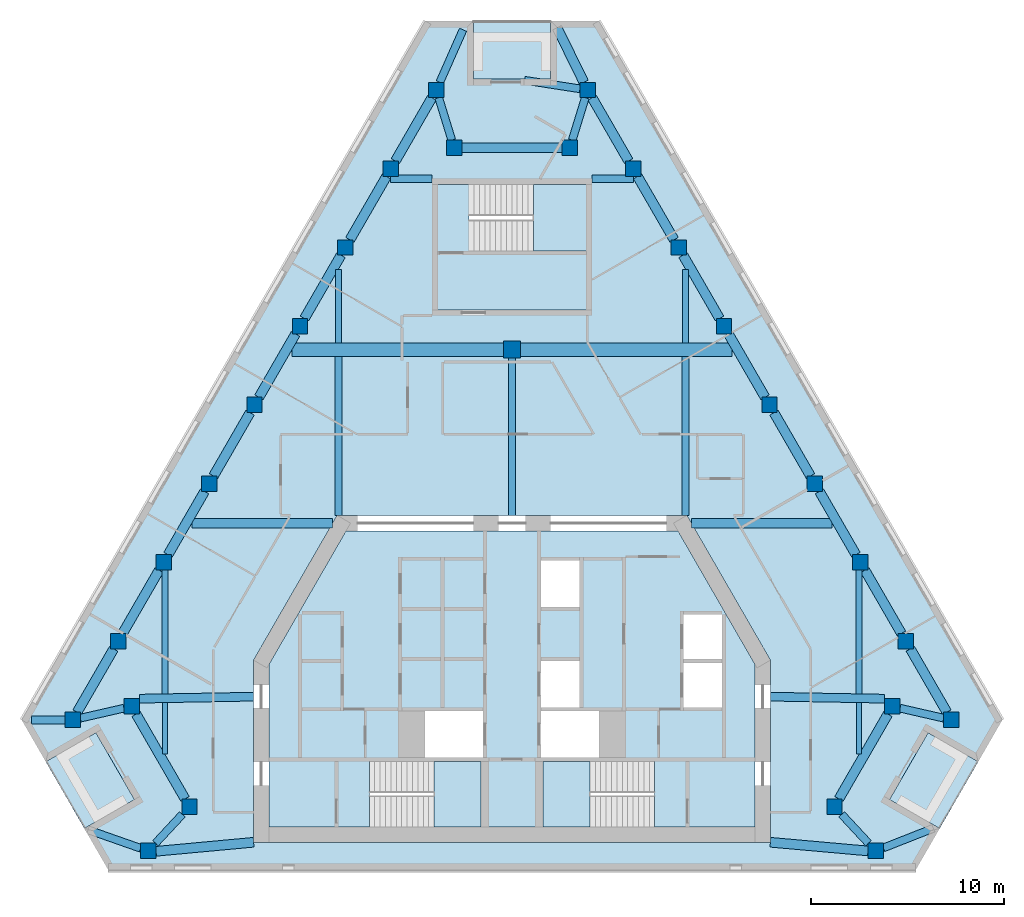
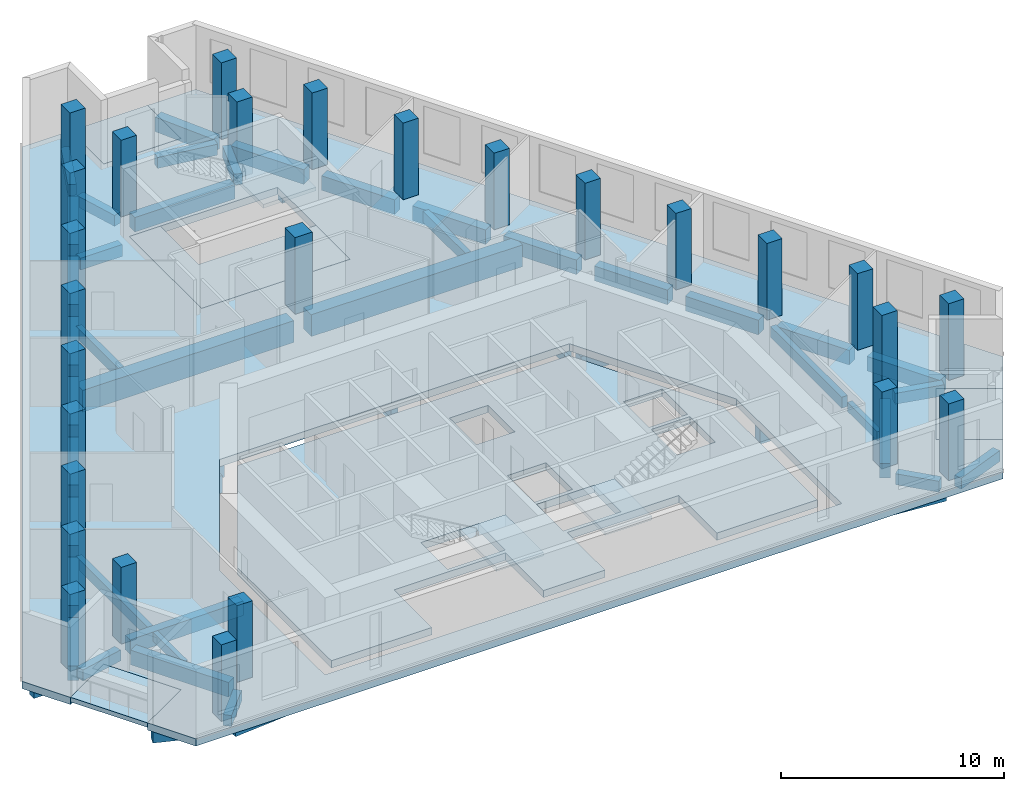
# One storey, part 1 of 9: 50 beams, 27 columns, 9 slabs, 3 elements without a shape of their own.
"""IFC4 building model written with IfcOpenShell, lengths in metres."""

from ifc_helpers import new_model, si_unit, direction, frame, origin, origin_2d, place, context, subcontext, project, spatial, polyline, rectangle, outline, extrude, material, layer, layer_set, material_profile, profile_set, type_object, element, aggregate, save


model = new_model("IFC4")

# Units and contexts
model_context = context("Model", 3, precision=1e-05, world=origin(), true_north=direction((0.0, 1.0)))
body_context = subcontext(model_context, "Body", "Model", "MODEL_VIEW")
ifc_project = project(units=[si_unit("LENGTHUNIT", "METRE"), si_unit("AREAUNIT", "SQUARE_METRE"), si_unit("VOLUMEUNIT", "CUBIC_METRE"), si_unit("PLANEANGLEUNIT", "RADIAN"), si_unit("MASSUNIT", "GRAM", prefix="KILO")], contexts=[model_context])

# Site, building, storey
site_placement = place(None, origin())
site = spatial("IfcSite", under=ifc_project, at=site_placement, CompositionType="ELEMENT")
building_placement = place(site_placement, origin())
building = spatial("IfcBuilding", under=site, at=building_placement, Name="Fogline Exchange Tower", CompositionType="ELEMENT")
storey_placement = place(building_placement, frame((0.0, 0.0, 279.300048828125)))
storey = spatial("IfcBuildingStorey", under=building, at=storey_placement, Name="L63", CompositionType="ELEMENT", Elevation=279.300048828125)

# Columns
ifc_material_1 = material(Name="Concrete C60", Category="concrete")
ifc_material_profile_1 = material_profile(ifc_material_1, rectangle(XDim=0.89990234375, YDim=0.89990234375, at=origin_2d()), Name="RC 900x900")
ifc_profile_set_1 = profile_set([ifc_material_profile_1], Name="Concrete C60")
column_type_1 = type_object("IfcColumnType", Name="C06", PredefinedType="COLUMN", material=ifc_profile_set_1)
column_placement = place(storey_placement, frame((0.0, 27.0, 0.0), z_axis=(0.0, 0.0, 1.0), x_axis=(1.0, 0.0, 0.0)))
element("IfcColumn", 1, at=column_placement, inside=storey, type_object=column_type_1, Name="IC-0-27", PredefinedType="COLUMN", context=body_context, shape_type="SweptSolid", body=[
    extrude(rectangle(XDim=0.89990234375, YDim=0.89990234375, at=origin_2d()), origin(), (0.0, 0.0, 1.0), 4.199951171875),
])
ifc_material_profile_2 = material_profile(ifc_material_1, rectangle(XDim=0.800048828125, YDim=0.800048828125, at=origin_2d()), Name="RC 800x800")
ifc_profile_set_2 = profile_set([ifc_material_profile_2], Name="Concrete C60")
column_type_2 = type_object("IfcColumnType", Name="C07", PredefinedType="COLUMN", material=ifc_profile_set_2)
for number, where, z_axis, x_axis, name in (
    (2, (-22.7802734375, 7.794189453125, 0.0), (0.0, 0.0, 1.0), (1.0, 0.0, 0.0), "SW-a"),
    (3, (-19.720947265625, 8.4951171875, 0.0), (0.0, 0.0, 1.0), (1.0, 0.0, 0.0), "SW-p4"),
    (4, (-16.720947265625, 3.299072265625, 0.0), (0.0, 0.0, 1.0), (1.0, 0.0, 0.0), "SW-p3"),
    (5, (-18.857666015625, 1.0, 0.0), (0.0, 0.0, 1.0), (1.0, 0.0, 0.0), "SW-b"),
    (6, (18.857666015625, 1.0, 0.0), (0.0, 0.0, 1.0), (1.0, 0.0, 0.0), "SE-a"),
    (7, (16.720947265625, 3.299072265625, 0.0), (0.0, 0.0, 1.0), (1.0, 0.0, 0.0), "SE-p4"),
    (8, (19.720947265625, 8.4951171875, 0.0), (0.0, 0.0, 1.0), (1.0, 0.0, 0.0), "SE-p3"),
    (9, (22.7802734375, 7.794189453125, 0.0), (0.0, 0.0, 1.0), (1.0, 0.0, 0.0), "SE-b"),
    (10, (20.423095703125, 11.876953125, 0.0), (0.0, 0.0, 1.0), (1.0, 0.0, 0.0), "E1"),
    (11, (18.06591796875, 15.959716796875, 0.0), (0.0, 0.0, 1.0), (1.0, 0.0, 0.0), "E2"),
    (12, (15.708740234375, 20.04248046875, 0.0), (0.0, 0.0, 1.0), (1.0, 0.0, 0.0), "E3"),
    (13, (13.3515625, 24.12548828125, 0.0), (0.0, 0.0, 1.0), (1.0, 0.0, 0.0), "E4"),
    (14, (10.994384765625, 28.208251953125, 0.0), (0.0, 0.0, 1.0), (1.0, 0.0, 0.0), "E5"),
    (15, (8.63720703125, 32.291015625, 0.0), (0.0, 0.0, 1.0), (1.0, 0.0, 0.0), "E6"),
    (16, (6.27978515625, 36.373779296875, 0.0), (0.0, 0.0, 1.0), (1.0, 0.0, 0.0), "E7"),
    (17, (3.922607421875, 40.456787109375, 0.0), (0.0, 0.0, 1.0), (1.0, 0.0, 0.0), "N-a"),
    (18, (3.0, 37.456787109375, 0.0), (0.0, 0.0, 1.0), (1.0, 0.0, 0.0), "N-p4"),
    (19, (-3.0, 37.456787109375, 0.0), (0.0, 0.0, 1.0), (1.0, 0.0, 0.0), "N-p3"),
    (20, (-3.922607421875, 40.456787109375, 0.0), (0.0, 0.0, 1.0), (1.0, 0.0, 0.0), "N-b"),
    (21, (-6.27978515625, 36.373779296875, 0.0), (0.0, 0.0, 1.0), (1.0, 0.0, 0.0), "W1"),
    (22, (-8.63720703125, 32.291015625, 0.0), (0.0, 0.0, 1.0), (1.0, 0.0, 0.0), "W2"),
    (23, (-10.994384765625, 28.208251953125, 0.0), (0.0, 0.0, 1.0), (1.0, 0.0, 0.0), "W3"),
    (24, (-13.3515625, 24.12548828125, 0.0), (0.0, 0.0, 1.0), (1.0, 0.0, 0.0), "W4"),
    (25, (-15.708740234375, 20.04248046875, 0.0), (0.0, 0.0, 1.0), (1.0, 0.0, 0.0), "W5"),
    (26, (-18.06591796875, 15.959716796875, 0.0), (0.0, 0.0, 1.0), (1.0, 0.0, 0.0), "W6"),
    (27, (-20.423095703125, 11.876953125, 0.0), (0.0, 0.0, 1.0), (1.0, 0.0, 0.0), "W7"),
):
    element("IfcColumn", number, at=place(storey_placement, frame(where, z_axis=z_axis, x_axis=x_axis)), inside=storey, type_object=column_type_2, Name=name, PredefinedType="COLUMN", context=body_context, shape_type="SweptSolid", body=[
        extrude(rectangle(XDim=0.800048828125, YDim=0.800048828125, at=origin_2d()), origin(), (0.0, 0.0, 1.0), 4.199951171875),
    ])

# Beams
ifc_material_2 = material(Name="Concrete C40", Category="concrete")
ifc_material_profile_3 = material_profile(ifc_material_2, rectangle(XDim=0.300048828125, YDim=0.60009765625, at=origin_2d()), Name="RC 300x600")
ifc_profile_set_3 = profile_set([ifc_material_profile_3], Name="Concrete C40")
beam_type_1 = type_object("IfcBeamType", Name="B06", PredefinedType="BEAM", material=ifc_profile_set_3)
beam_1_placement = place(storey_placement, frame((-18.0, 9.1435546875, -0.699951171875), z_axis=(0.0, 1.0, 0.0), x_axis=(-1.0, 0.0, 0.0)))
element("IfcBeam", 28, at=beam_1_placement, inside=storey, type_object=beam_type_1, Name="SB002", PredefinedType="BEAM", context=body_context, shape_type="SweptSolid", body=[
    extrude(rectangle(XDim=0.300048828125, YDim=0.60009765625, at=origin_2d()), origin(), (0.0, 0.0, 1.0), 6.416259765625),
])
for number, where, z_axis, x_axis, name in (
    (29, (-9.0, 27.35009765625, -0.699951171875), (0.0, 1.0, 0.0), (-1.0, 0.0, 0.0), "SB004"),
    (30, (9.0, 27.35009765625, -0.699951171875), (0.0, 1.0, 0.0), (-1.0, 0.0, 0.0), "SB007"),
):
    element("IfcBeam", number, at=place(storey_placement, frame(where, z_axis=z_axis, x_axis=x_axis)), inside=storey, type_object=beam_type_1, Name=name, PredefinedType="BEAM", context=body_context, shape_type="SweptSolid", body=[
        extrude(rectangle(XDim=0.300048828125, YDim=0.60009765625, at=origin_2d()), origin(), (0.0, 0.0, 1.0), 3.812255859375),
    ])
beam_2_placement = place(storey_placement, frame((18.0, 9.1435546875, -0.699951171875), z_axis=(0.0, 1.0, 0.0), x_axis=(-1.0, 0.0, 0.0)))
element("IfcBeam", 31, at=beam_2_placement, inside=storey, type_object=beam_type_1, Name="SB009", PredefinedType="BEAM", context=body_context, shape_type="SweptSolid", body=[
    extrude(rectangle(XDim=0.300048828125, YDim=0.60009765625, at=origin_2d()), origin(), (0.0, 0.0, 1.0), 6.416259765625),
])
ifc_material_profile_4 = material_profile(ifc_material_2, rectangle(XDim=0.25, YDim=0.5, at=origin_2d()), Name="RC 250x500")
ifc_profile_set_4 = profile_set([ifc_material_profile_4], Name="Concrete C40")
beam_type_2 = type_object("IfcBeamType", Name="B08", PredefinedType="BEAM", material=ifc_profile_set_4)
for number, where, z_axis, x_axis, name in (
    (32, (-18.0, 6.014404296875, -0.650146484375), (0.0, 1.0, 0.0), (-1.0, 0.0, 0.0), "SB001"),
    (33, (18.0, 6.014404296875, -0.650146484375), (0.0, 1.0, 0.0), (-1.0, 0.0, 0.0), "SB008"),
):
    element("IfcBeam", number, at=place(storey_placement, frame(where, z_axis=z_axis, x_axis=x_axis)), inside=storey, type_object=beam_type_2, Name=name, PredefinedType="BEAM", context=body_context, shape_type="SweptSolid", body=[
        extrude(rectangle(XDim=0.25, YDim=0.5, at=origin_2d()), origin(), (0.0, 0.0, 1.0), 2.67919921875),
    ])
ifc_material_profile_5 = material_profile(ifc_material_2, rectangle(XDim=0.5, YDim=0.800048828125, at=origin_2d()), Name="RC 500x800")
ifc_profile_set_5 = profile_set([ifc_material_profile_5], Name="Concrete C40")
beam_type_3 = type_object("IfcBeamType", Name="B10", PredefinedType="BEAM", material=ifc_profile_set_5)
beam_3_placement = place(storey_placement, frame((-19.489990234375, 8.09521484375, -0.800048828125), z_axis=(0.499987508774, -0.866032615477, 0.0), x_axis=(0.866032615477, 0.499987508774, 0.0)))
element("IfcBeam", 34, at=beam_3_placement, inside=storey, type_object=beam_type_3, Name="RB002", PredefinedType="BEAM", context=body_context, shape_type="SweptSolid", body=[
    extrude(rectangle(XDim=0.5, YDim=0.800048828125, at=origin_2d()), origin(), (0.0, 0.0, 1.0), 5.076416015625),
])
beam_4_placement = place(storey_placement, frame((-18.457763671875, 0.981689453125, -0.800048828125), z_axis=(0.995741736268, 0.092186737952, 0.0), x_axis=(-0.092186737952, 0.995741736268, 0.0)))
element("IfcBeam", 35, at=beam_4_placement, inside=storey, type_object=beam_type_3, Name="RB004", PredefinedType="BEAM", context=body_context, shape_type="SweptSolid", body=[
    extrude(rectangle(XDim=0.5, YDim=0.800048828125, at=origin_2d()), origin(), (0.0, 0.0, 1.0), 5.07958984375),
])
beam_5_placement = place(storey_placement, frame((13.39990234375, 1.449951171875, -0.800048828125), z_axis=(0.996066324908, -0.088610814153, 0.0), x_axis=(0.088610814153, 0.996066324908, 0.0)))
element("IfcBeam", 36, at=beam_5_placement, inside=storey, type_object=beam_type_3, Name="RB005", PredefinedType="BEAM", context=body_context, shape_type="SweptSolid", body=[
    extrude(rectangle(XDim=0.5, YDim=0.800048828125, at=origin_2d()), origin(), (0.0, 0.0, 1.0), 5.077880859375),
])
beam_6_placement = place(storey_placement, frame((16.951904296875, 3.698974609375, -0.800048828125), z_axis=(0.499987508774, 0.866032615477, 0.0), x_axis=(-0.866032615477, 0.499987508774, 0.0)))
element("IfcBeam", 37, at=beam_6_placement, inside=storey, type_object=beam_type_3, Name="RB007", PredefinedType="BEAM", context=body_context, shape_type="SweptSolid", body=[
    extrude(rectangle(XDim=0.5, YDim=0.800048828125, at=origin_2d()), origin(), (0.0, 0.0, 1.0), 5.076416015625),
])
beam_7_placement = place(storey_placement, frame((22.54931640625, 8.194091796875, -0.800048828125), z_axis=(-0.499969613651, 0.86604294664, 0.0), x_axis=(-0.86604294664, -0.499969613651, 0.0)))
element("IfcBeam", 38, at=beam_7_placement, inside=storey, type_object=beam_type_3, Name="RB009", PredefinedType="BEAM", context=body_context, shape_type="SweptSolid", body=[
    extrude(rectangle(XDim=0.5, YDim=0.800048828125, at=origin_2d()), origin(), (0.0, 0.0, 1.0), 3.790771484375),
])
for number, where, z_axis, x_axis, name in (
    (39, (20.192138671875, 12.277099609375, -0.800048828125), (-0.499997501644, 0.866026846206, 0.0), (-0.866026846206, -0.499997501644, 0.0), "RB010"),
    (40, (17.8349609375, 16.35986328125, -0.800048828125), (-0.499997501644, 0.866026846206, 0.0), (-0.866026846206, -0.499997501644, 0.0), "RB011"),
    (41, (15.477783203125, 20.442626953125, -0.800048828125), (-0.499997501644, 0.866026846206, 0.0), (-0.866026846206, -0.499997501644, 0.0), "RB012"),
):
    element("IfcBeam", number, at=place(storey_placement, frame(where, z_axis=z_axis, x_axis=x_axis)), inside=storey, type_object=beam_type_3, Name=name, PredefinedType="BEAM", context=body_context, shape_type="SweptSolid", body=[
        extrude(rectangle(XDim=0.5, YDim=0.800048828125, at=origin_2d()), origin(), (0.0, 0.0, 1.0), 3.79052734375),
    ])
for number, where, z_axis, x_axis, name in (
    (42, (13.12060546875, 24.525390625, -0.800048828125), (-0.500045805297, 0.865998956469, 0.0), (-0.865998956469, -0.500045805297, 0.0), "RB013"),
    (43, (10.76318359375, 28.608154296875, -0.800048828125), (-0.499969613651, 0.86604294664, 0.0), (-0.86604294664, -0.499969613651, 0.0), "RB014"),
    (44, (8.406005859375, 32.69091796875, -0.800048828125), (-0.499969613651, 0.86604294664, 0.0), (-0.86604294664, -0.499969613651, 0.0), "RB015"),
    (45, (6.048828125, 36.773681640625, -0.800048828125), (-0.499969613651, 0.86604294664, 0.0), (-0.86604294664, -0.499969613651, 0.0), "RB016"),
):
    element("IfcBeam", number, at=place(storey_placement, frame(where, z_axis=z_axis, x_axis=x_axis)), inside=storey, type_object=beam_type_3, Name=name, PredefinedType="BEAM", context=body_context, shape_type="SweptSolid", body=[
        extrude(rectangle(XDim=0.5, YDim=0.800048828125, at=origin_2d()), origin(), (0.0, 0.0, 1.0), 3.790771484375),
    ])
beam_8_placement = place(storey_placement, frame((2.60009765625, 37.456787109375, -0.800048828125), z_axis=(-1.0, 0.0, 0.0), x_axis=(0.0, -1.0, 0.0)))
element("IfcBeam", 46, at=beam_8_placement, inside=storey, type_object=beam_type_3, Name="RB018", PredefinedType="BEAM", context=body_context, shape_type="SweptSolid", body=[
    extrude(rectangle(XDim=0.5, YDim=0.800048828125, at=origin_2d()), origin(), (0.0, 0.0, 1.0), 5.2001953125),
])
for number, where, z_axis, x_axis, name in (
    (47, (-4.153564453125, 40.056640625, -0.800048828125), (-0.499969613651, -0.86604294664, 0.0), (0.86604294664, -0.499969613651, 0.0), "RB020"),
    (48, (-6.5107421875, 35.973876953125, -0.800048828125), (-0.499969613651, -0.86604294664, 0.0), (0.86604294664, -0.499969613651, 0.0), "RB021"),
    (49, (-8.867919921875, 31.89111328125, -0.800048828125), (-0.499969613651, -0.86604294664, 0.0), (0.86604294664, -0.499969613651, 0.0), "RB022"),
    (50, (-11.22509765625, 27.80810546875, -0.800048828125), (-0.500045805297, -0.865998956469, 0.0), (0.865998956469, -0.500045805297, 0.0), "RB023"),
):
    element("IfcBeam", number, at=place(storey_placement, frame(where, z_axis=z_axis, x_axis=x_axis)), inside=storey, type_object=beam_type_3, Name=name, PredefinedType="BEAM", context=body_context, shape_type="SweptSolid", body=[
        extrude(rectangle(XDim=0.5, YDim=0.800048828125, at=origin_2d()), origin(), (0.0, 0.0, 1.0), 3.790771484375),
    ])
for number, where, z_axis, x_axis, name in (
    (51, (-13.58251953125, 23.725341796875, -0.800048828125), (-0.499997501644, -0.866026846206, 0.0), (0.866026846206, -0.499997501644, 0.0), "RB024"),
    (52, (-15.939697265625, 19.642578125, -0.800048828125), (-0.499997501644, -0.866026846206, 0.0), (0.866026846206, -0.499997501644, 0.0), "RB025"),
    (53, (-18.296875, 15.559814453125, -0.800048828125), (-0.499997501644, -0.866026846206, 0.0), (0.866026846206, -0.499997501644, 0.0), "RB026"),
):
    element("IfcBeam", number, at=place(storey_placement, frame(where, z_axis=z_axis, x_axis=x_axis)), inside=storey, type_object=beam_type_3, Name=name, PredefinedType="BEAM", context=body_context, shape_type="SweptSolid", body=[
        extrude(rectangle(XDim=0.5, YDim=0.800048828125, at=origin_2d()), origin(), (0.0, 0.0, 1.0), 3.79052734375),
    ])
beam_9_placement = place(storey_placement, frame((-20.654052734375, 11.47705078125, -0.800048828125), z_axis=(-0.499969613651, -0.86604294664, 0.0), x_axis=(0.86604294664, -0.499969613651, 0.0)))
element("IfcBeam", 54, at=beam_9_placement, inside=storey, type_object=beam_type_3, Name="RB027", PredefinedType="BEAM", context=body_context, shape_type="SweptSolid", body=[
    extrude(rectangle(XDim=0.5, YDim=0.800048828125, at=origin_2d()), origin(), (0.0, 0.0, 1.0), 3.790771484375),
])
beam_10_placement = place(storey_placement, frame((3.726318359375, 40.856689453125, -0.800048828125), z_axis=(-0.440467464313, 0.897768574234, 0.0), x_axis=(-0.897768574234, -0.440467464313, 0.0)))
element("IfcBeam", 55, at=beam_10_placement, inside=storey, type_object=beam_type_3, Name="SP028", PredefinedType="BEAM", context=body_context, shape_type="SweptSolid", body=[
    extrude(rectangle(XDim=0.5, YDim=0.800048828125, at=origin_2d()), origin(), (0.0, 0.0, 1.0), 3.147216796875),
])
ifc_material_profile_6 = material_profile(ifc_material_2, rectangle(XDim=0.39990234375, YDim=0.60009765625, at=origin_2d()), Name="RC 400x600")
ifc_profile_set_6 = profile_set([ifc_material_profile_6], Name="Concrete C40")
beam_type_4 = type_object("IfcBeamType", Name="B11", PredefinedType="BEAM", material=ifc_profile_set_6)
beam_11_placement = place(storey_placement, frame((-22.38037109375, 7.885986328125, -0.699951171875), z_axis=(0.974753812703, 0.223282342834, 0.0), x_axis=(-0.223282342834, 0.974753812703, 0.0)))
element("IfcBeam", 56, at=beam_11_placement, inside=storey, type_object=beam_type_4, Name="RB001", PredefinedType="BEAM", context=body_context, shape_type="SweptSolid", body=[
    extrude(rectangle(XDim=0.39990234375, YDim=0.60009765625, at=origin_2d()), origin(), (0.0, 0.0, 1.0), 2.318115234375),
])
for number, where, z_axis, x_axis, name in (
    (57, (-17.0927734375, 2.89892578125, -0.699951171875), (-0.680743909802, -0.732521487239, 0.0), (0.732521487239, -0.680743909802, 0.0), "RB003"),
    (58, (18.48583984375, 1.39990234375, -0.699951171875), (-0.680743909802, 0.732521487239, 0.0), (-0.732521487239, -0.680743909802, 0.0), "RB006"),
):
    element("IfcBeam", number, at=place(storey_placement, frame(where, z_axis=z_axis, x_axis=x_axis)), inside=storey, type_object=beam_type_4, Name=name, PredefinedType="BEAM", context=body_context, shape_type="SweptSolid", body=[
        extrude(rectangle(XDim=0.39990234375, YDim=0.60009765625, at=origin_2d()), origin(), (0.0, 0.0, 1.0), 2.04638671875),
    ])
beam_12_placement = place(storey_placement, frame((20.120849609375, 8.403564453125, -0.699951171875), z_axis=(0.974753812703, -0.223282342834, 0.0), x_axis=(0.223282342834, 0.974753812703, 0.0)))
element("IfcBeam", 59, at=beam_12_placement, inside=storey, type_object=beam_type_4, Name="RB008", PredefinedType="BEAM", context=body_context, shape_type="SweptSolid", body=[
    extrude(rectangle(XDim=0.39990234375, YDim=0.60009765625, at=origin_2d()), origin(), (0.0, 0.0, 1.0), 2.318115234375),
])
for number, where, z_axis, x_axis, name in (
    (60, (3.799560546875, 40.056640625, -0.699951171875), (-0.293929314998, -0.955827158949, 0.0), (0.955827158949, -0.293929314998, 0.0), "RB017"),
    (61, (-3.123046875, 37.856689453125, -0.699951171875), (-0.293929314998, 0.955827158949, 0.0), (-0.955827158949, -0.293929314998, 0.0), "RB019"),
):
    element("IfcBeam", number, at=place(storey_placement, frame(where, z_axis=z_axis, x_axis=x_axis)), inside=storey, type_object=beam_type_4, Name=name, PredefinedType="BEAM", context=body_context, shape_type="SweptSolid", body=[
        extrude(rectangle(XDim=0.39990234375, YDim=0.60009765625, at=origin_2d()), origin(), (0.0, 0.0, 1.0), 2.301513671875),
    ])
beam_13_placement = place(storey_placement, frame((-3.74560546875, 40.856689453125, -0.699951171875), z_axis=(0.405050498391, 0.914294314624, 0.0), x_axis=(-0.914294314624, 0.405050498391, 0.0)))
element("IfcBeam", 62, at=beam_13_placement, inside=storey, type_object=beam_type_4, Name="SP029", PredefinedType="BEAM", context=body_context, shape_type="SweptSolid", body=[
    extrude(rectangle(XDim=0.39990234375, YDim=0.60009765625, at=origin_2d()), origin(), (0.0, 0.0, 1.0), 2.97802734375),
])
beam_14_placement = place(storey_placement, frame((-19.2578125, 1.14013671875, -0.699951171875), z_axis=(-0.943697611432, 0.330809338105, 0.0), x_axis=(-0.330809338105, -0.943697611432, 0.0)))
element("IfcBeam", 63, at=beam_14_placement, inside=storey, type_object=beam_type_4, Name="SP030", PredefinedType="BEAM", context=body_context, shape_type="SweptSolid", body=[
    extrude(rectangle(XDim=0.39990234375, YDim=0.60009765625, at=origin_2d()), origin(), (0.0, 0.0, 1.0), 2.890869140625),
])
beam_15_placement = place(storey_placement, frame((19.2578125, 1.157470703125, -0.699951171875), z_axis=(0.930478197555, 0.366347272236, 0.0), x_axis=(-0.366347272236, 0.930478197555, 0.0)))
element("IfcBeam", 64, at=beam_15_placement, inside=storey, type_object=beam_type_4, Name="SP031", PredefinedType="BEAM", context=body_context, shape_type="SweptSolid", body=[
    extrude(rectangle(XDim=0.39990234375, YDim=0.60009765625, at=origin_2d()), origin(), (0.0, 0.0, 1.0), 2.7822265625),
])
beam_16_placement = place(storey_placement, frame((3.522705078125, 40.518310546875, -0.699951171875), z_axis=(-0.988292675086, 0.152569945834, 0.0), x_axis=(-0.152569945834, -0.988292675086, 0.0)))
element("IfcBeam", 65, at=beam_16_placement, inside=storey, type_object=beam_type_4, Name="SP032", PredefinedType="BEAM", context=body_context, shape_type="SweptSolid", body=[
    extrude(rectangle(XDim=0.39990234375, YDim=0.60009765625, at=origin_2d()), origin(), (0.0, 0.0, 1.0), 2.89794921875),
])
beam_17_placement = place(storey_placement, frame((-23.180419921875, 7.794189453125, -0.699951171875), z_axis=(-1.0, 0.0, 0.0), x_axis=(0.0, -1.0, 0.0)))
element("IfcBeam", 66, at=beam_17_placement, inside=storey, type_object=beam_type_4, Name="SP033", PredefinedType="BEAM", context=body_context, shape_type="SweptSolid", body=[
    extrude(rectangle(XDim=0.39990234375, YDim=0.60009765625, at=origin_2d()), origin(), (0.0, 0.0, 1.0), 1.744140625),
])
ifc_material_profile_7 = material_profile(ifc_material_2, rectangle(XDim=0.39990234375, YDim=0.64990234375, at=origin_2d()), Name="RC 400x650")
ifc_profile_set_7 = profile_set([ifc_material_profile_7], Name="Concrete C40")
beam_type_5 = type_object("IfcBeamType", Name="B13", PredefinedType="BEAM", material=ifc_profile_set_7)
for number, where, z_axis, x_axis, name in (
    (67, (-6.308349609375, 35.85693359375, -0.72509765625), (1.0, 0.0, 0.0), (0.0, 1.0, 0.0), "GB007"),
    (68, (4.14990234375, 35.85693359375, -0.72509765625), (1.0, 0.0, 0.0), (0.0, 1.0, 0.0), "GB008"),
):
    element("IfcBeam", number, at=place(storey_placement, frame(where, z_axis=z_axis, x_axis=x_axis)), inside=storey, type_object=beam_type_5, Name=name, PredefinedType="BEAM", context=body_context, shape_type="SweptSolid", body=[
        extrude(rectangle(XDim=0.39990234375, YDim=0.64990234375, at=origin_2d()), origin(), (0.0, 0.0, 1.0), 2.158447265625),
    ])
ifc_material_profile_8 = material_profile(ifc_material_2, rectangle(XDim=0.5, YDim=0.949951171875, at=origin_2d()), Name="RC 500x950")
ifc_profile_set_8 = profile_set([ifc_material_profile_8], Name="Concrete C40")
beam_type_6 = type_object("IfcBeamType", Name="B14", PredefinedType="BEAM", material=ifc_profile_set_8)
for number, where, z_axis, x_axis, name in (
    (69, (-16.599365234375, 18.0, -0.875), (1.0, 0.0, 0.0), (0.0, 1.0, 0.0), "GB003"),
    (70, (9.296142578125, 18.0, -0.875), (1.0, 0.0, 0.0), (0.0, 1.0, 0.0), "GB004"),
):
    element("IfcBeam", number, at=place(storey_placement, frame(where, z_axis=z_axis, x_axis=x_axis)), inside=storey, type_object=beam_type_6, Name=name, PredefinedType="BEAM", context=body_context, shape_type="SweptSolid", body=[
        extrude(rectangle(XDim=0.5, YDim=0.949951171875, at=origin_2d()), origin(), (0.0, 0.0, 1.0), 7.30322265625),
    ])
ifc_material_profile_9 = material_profile(ifc_material_2, rectangle(XDim=0.35009765625, YDim=0.64990234375, at=origin_2d()), Name="RC 350x650")
ifc_profile_set_9 = profile_set([ifc_material_profile_9], Name="Concrete C40")
beam_type_7 = type_object("IfcBeamType", Name="B16", PredefinedType="BEAM", material=ifc_profile_set_9)
beam_18_placement = place(storey_placement, frame((-9.0, 18.39990234375, -0.72509765625), z_axis=(0.0, 1.0, 0.0), x_axis=(-1.0, 0.0, 0.0)))
element("IfcBeam", 71, at=beam_18_placement, inside=storey, type_object=beam_type_7, Name="SB003", PredefinedType="BEAM", context=body_context, shape_type="SweptSolid", body=[
    extrude(rectangle(XDim=0.35009765625, YDim=0.64990234375, at=origin_2d()), origin(), (0.0, 0.0, 1.0), 8.25),
])
beam_19_placement = place(storey_placement, frame((0.0, 18.39990234375, -0.72509765625), z_axis=(0.0, 1.0, 0.0), x_axis=(-1.0, 0.0, 0.0)))
element("IfcBeam", 72, at=beam_19_placement, inside=storey, type_object=beam_type_7, Name="SB005", PredefinedType="BEAM", context=body_context, shape_type="SweptSolid", body=[
    extrude(rectangle(XDim=0.35009765625, YDim=0.64990234375, at=origin_2d()), origin(), (0.0, 0.0, 1.0), 8.150146484375),
])
beam_20_placement = place(storey_placement, frame((9.0, 18.39990234375, -0.72509765625), z_axis=(0.0, 1.0, 0.0), x_axis=(-1.0, 0.0, 0.0)))
element("IfcBeam", 73, at=beam_20_placement, inside=storey, type_object=beam_type_7, Name="SB006", PredefinedType="BEAM", context=body_context, shape_type="SweptSolid", body=[
    extrude(rectangle(XDim=0.35009765625, YDim=0.64990234375, at=origin_2d()), origin(), (0.0, 0.0, 1.0), 8.25),
])
ifc_material_profile_10 = material_profile(ifc_material_2, rectangle(XDim=0.699951171875, YDim=1.199951171875, at=origin_2d()), Name="RC 700x1200")
ifc_profile_set_10 = profile_set([ifc_material_profile_10], Name="Concrete C40")
beam_type_8 = type_object("IfcBeamType", Name="B17", PredefinedType="BEAM", material=ifc_profile_set_10)
for number, where, z_axis, x_axis, name in (
    (74, (-11.4033203125, 27.0, -1.0), (1.0, 0.0, 0.0), (0.0, 1.0, 0.0), "GB005"),
    (75, (0.449951171875, 27.0, -1.0), (1.0, 0.0, 0.0), (0.0, 1.0, 0.0), "GB006"),
):
    element("IfcBeam", number, at=place(storey_placement, frame(where, z_axis=z_axis, x_axis=x_axis)), inside=storey, type_object=beam_type_8, Name=name, PredefinedType="BEAM", context=body_context, shape_type="SweptSolid", body=[
        extrude(rectangle(XDim=0.699951171875, YDim=1.199951171875, at=origin_2d()), origin(), (0.0, 0.0, 1.0), 10.953369140625),
    ])
ifc_material_profile_11 = material_profile(ifc_material_2, rectangle(XDim=0.449951171875, YDim=0.800048828125, at=origin_2d()), Name="RC 450x800")
ifc_profile_set_11 = profile_set([ifc_material_profile_11], Name="Concrete C40")
beam_type_9 = type_object("IfcBeamType", Name="B18", PredefinedType="BEAM", material=ifc_profile_set_11)
for number, where, z_axis, x_axis, name in (
    (76, (-19.32080078125, 8.895263671875, -0.800048828125), (0.9998435817, 0.017686495817, 0.0), (-0.017686495817, 0.9998435817, 0.0), "GB001"),
    (77, (13.39990234375, 9.0, -0.800048828125), (0.9998435817, -0.017686495817, 0.0), (0.017686495817, 0.9998435817, 0.0), "GB002"),
):
    element("IfcBeam", number, at=place(storey_placement, frame(where, z_axis=z_axis, x_axis=x_axis)), inside=storey, type_object=beam_type_9, Name=name, PredefinedType="BEAM", context=body_context, shape_type="SweptSolid", body=[
        extrude(rectangle(XDim=0.449951171875, YDim=0.800048828125, at=origin_2d()), origin(), (0.0, 0.0, 1.0), 5.921875),
    ])

# Slabs
ifc_layer_1 = layer(ifc_material_2, 0.25)
ifc_layer_set_1 = layer_set([ifc_layer_1], Name="DK1")
slab_type_1 = type_object("IfcSlabType", Name="DK1", PredefinedType="FLOOR", material=ifc_layer_set_1)
slab_1_placement = place(storey_placement, frame((0.0, 0.0, -0.25)))
element("IfcSlab", 78, at=slab_1_placement, inside=storey, type_object=slab_type_1, Name="Balcony L63 SW", PredefinedType="FLOOR", context=body_context, shape_type="SweptSolid", body=[
    extrude(outline(polyline([(-24.174560546875, 5.629150390625), (-22.174560546875, 2.1650390625), (-19.576416015625, 3.6650390625), (-21.576416015625, 7.129150390625), (-24.174560546875, 5.629150390625)])), origin(), (0.0, 0.0, 1.0), 0.25),
])
slab_2_placement = place(storey_placement, frame((0.0, 0.0, -0.25)))
element("IfcSlab", 79, at=slab_2_placement, inside=storey, type_object=slab_type_1, Name="Balcony L63 SE", PredefinedType="FLOOR", context=body_context, shape_type="SweptSolid", body=[
    extrude(outline(polyline([(22.174560546875, 2.1650390625), (24.174560546875, 5.629150390625), (21.576416015625, 7.129150390625), (19.576416015625, 3.6650390625), (22.174560546875, 2.1650390625)])), origin(), (0.0, 0.0, 1.0), 0.25),
])
slab_3_placement = place(storey_placement, frame((0.0, 0.0, -0.25)))
element("IfcSlab", 80, at=slab_3_placement, inside=storey, type_object=slab_type_1, Name="Balcony L63 N", PredefinedType="FLOOR", context=body_context, shape_type="SweptSolid", body=[
    extrude(outline(polyline([(2.0, 44.03662109375), (-2.0, 44.03662109375), (-2.0, 41.03662109375), (2.0, 41.03662109375), (2.0, 44.03662109375)])), origin(), (0.0, 0.0, 1.0), 0.25),
])
ifc_layer_2 = layer(ifc_material_2, 0.39990234375)
ifc_layer_set_2 = layer_set([ifc_layer_2], Name="S03")
slab_type_2 = type_object("IfcSlabType", Name="S03", PredefinedType="FLOOR", material=ifc_layer_set_2)
slab_4_placement = place(storey_placement, frame((0.0, 0.0, -0.400146484375)))
element("IfcSlab", 81, at=slab_4_placement, inside=storey, type_object=slab_type_2, Name="SLAB L63", PredefinedType="FLOOR", context=body_context, shape_type="SweptSolid", body=[
    extrude(outline(polyline([(-2.0, 44.03662109375), (-4.5, 44.03662109375), (-25.424560546875, 7.794189453125), (-24.174560546875, 5.629150390625), (-21.576416015625, 7.129150390625), (-19.576416015625, 3.6650390625), (-22.174560546875, 2.1650390625), (-20.924560546875, 0.0), (20.924560546875, 0.0), (22.174560546875, 2.1650390625), (19.576416015625, 3.6650390625), (21.576416015625, 7.129150390625), (24.174560546875, 5.629150390625), (25.424560546875, 7.794189453125), (4.5, 44.03662109375), (2.0, 44.03662109375), (2.0, 41.03662109375), (-2.0, 41.03662109375), (-2.0, 44.03662109375)]), holes=[polyline([(13.39990234375, 10.891845703125), (13.39990234375, 1.449951171875), (-13.39990234375, 1.449951171875), (-13.39990234375, 10.891845703125), (-9.065185546875, 18.39990234375), (9.065185546875, 18.39990234375), (13.39990234375, 10.891845703125)]), polyline([(3.85009765625, 35.556884765625), (3.85009765625, 29.056884765625), (-3.85009765625, 29.056884765625), (-3.85009765625, 35.556884765625), (3.85009765625, 35.556884765625)])]), origin(), (0.0, 0.0, 1.0), 0.400146484375),
])
slab_5_placement = place(storey_placement, frame((0.0, 0.0, -0.400146484375)))
element("IfcSlab", 82, at=slab_5_placement, inside=storey, type_object=slab_type_2, Name="Core floor slab", PredefinedType="FLOOR", context=body_context, shape_type="SweptSolid", body=[
    extrude(outline(polyline([(-12.60009765625, 2.25), (-12.60009765625, 10.677490234375), (-8.603271484375, 17.60009765625), (8.603271484375, 17.60009765625), (12.60009765625, 10.677490234375), (12.60009765625, 2.25), (7.389892578125, 2.25), (7.389892578125, 5.64990234375), (1.60009765625, 5.64990234375), (1.60009765625, 2.25), (-1.60009765625, 2.25), (-1.60009765625, 5.64990234375), (-7.389892578125, 5.64990234375), (-7.389892578125, 2.25), (-12.60009765625, 2.25)]), holes=[polyline([(-4.5, 8.25), (-4.5, 5.85009765625), (-1.5, 5.85009765625), (-1.5, 8.25), (-4.5, 8.25)]), polyline([(1.5, 8.25), (1.5, 5.85009765625), (4.5, 5.85009765625), (4.5, 8.25), (1.5, 8.25)]), polyline([(8.89990234375, 10.75), (8.89990234375, 8.449951171875), (10.89990234375, 8.449951171875), (10.89990234375, 10.75), (8.89990234375, 10.75)]), polyline([(1.5, 10.85009765625), (1.5, 8.449951171875), (3.5, 8.449951171875), (3.5, 10.85009765625), (1.5, 10.85009765625)]), polyline([(8.89990234375, 13.25), (8.89990234375, 10.949951171875), (10.89990234375, 10.949951171875), (10.89990234375, 13.25), (8.89990234375, 13.25)]), polyline([(1.5, 16.050048828125), (1.5, 13.64990234375), (3.5, 13.64990234375), (3.5, 16.050048828125), (1.5, 16.050048828125)])]), origin(), (0.0, 0.0, 1.0), 0.400146484375),
])
slab_6_placement = place(storey_placement, frame((0.0, 0.0, -0.400146484375)))
element("IfcSlab", 83, at=slab_6_placement, inside=storey, type_object=slab_type_2, Name="Stair enclosure floor slab", PredefinedType="FLOOR", context=body_context, shape_type="SweptSolid", body=[
    extrude(outline(polyline([(3.85009765625, 29.056884765625), (-3.85009765625, 29.056884765625), (-3.85009765625, 35.556884765625), (-2.239990234375, 35.556884765625), (-2.239990234375, 32.10693359375), (3.85009765625, 32.10693359375), (3.85009765625, 29.056884765625)])), origin(), (0.0, 0.0, 1.0), 0.400146484375),
])

# Stair, slab
stair_type = type_object("IfcStairType", Name="STR26-1615", PredefinedType="HALF_TURN_STAIR", material=ifc_material_2)
stair_1_placement = place(storey_placement, origin())
stair_1 = element("IfcStair", 84, at=stair_1_placement, inside=storey, type_object=stair_type, Name="Stair ST1", PredefinedType="HALF_TURN_STAIR")
ifc_layer_3 = layer(ifc_material_2, 0.199951171875)
ifc_layer_set_3 = layer_set([ifc_layer_3], Name="SL200")
slab_type_3 = type_object("IfcSlabType", Name="SL200", PredefinedType="LANDING", material=ifc_layer_set_3)
slab_7_placement = place(storey_placement, frame((0.0, 0.0, 1.89990234375)))
slab_7 = element("IfcSlab", 85, at=slab_7_placement, type_object=slab_type_3, Name="ST1 landing 1", PredefinedType="LANDING", context=body_context, shape_type="SweptSolid", body=[
    extrude(outline(polyline([(-4.0400390625, 2.25), (-1.60009765625, 2.25), (-1.60009765625, 5.64990234375), (-4.0400390625, 5.64990234375), (-4.0400390625, 2.25)])), origin(), (0.0, 0.0, 1.0), 0.199951171875),
])
aggregate(stair_1, [slab_7])

stair_2_placement = place(storey_placement, origin())
stair_2 = element("IfcStair", 86, at=stair_2_placement, inside=storey, type_object=stair_type, Name="Stair ST2", PredefinedType="HALF_TURN_STAIR")
slab_8_placement = place(storey_placement, frame((0.0, 0.0, 1.89990234375)))
slab_8 = element("IfcSlab", 87, at=slab_8_placement, type_object=slab_type_3, Name="ST2 landing 1", PredefinedType="LANDING", context=body_context, shape_type="SweptSolid", body=[
    extrude(outline(polyline([(1.60009765625, 2.25), (4.0400390625, 2.25), (4.0400390625, 5.64990234375), (1.60009765625, 5.64990234375), (1.60009765625, 2.25)])), origin(), (0.0, 0.0, 1.0), 0.199951171875),
])
aggregate(stair_2, [slab_8])

stair_3_placement = place(storey_placement, origin())
stair_3 = element("IfcStair", 88, at=stair_3_placement, inside=storey, type_object=stair_type, Name="Stair ST3", PredefinedType="HALF_TURN_STAIR")
slab_9_placement = place(storey_placement, frame((0.0, 0.0, 1.89990234375)))
slab_9 = element("IfcSlab", 89, at=slab_9_placement, type_object=slab_type_3, Name="ST3 landing 1", PredefinedType="LANDING", context=body_context, shape_type="SweptSolid", body=[
    extrude(outline(polyline([(1.110107421875, 32.10693359375), (3.85009765625, 32.10693359375), (3.85009765625, 35.556884765625), (1.110107421875, 35.556884765625), (1.110107421875, 32.10693359375)])), origin(), (0.0, 0.0, 1.0), 0.199951171875),
])
aggregate(stair_3, [slab_9])

save(model, "model.ifc")
